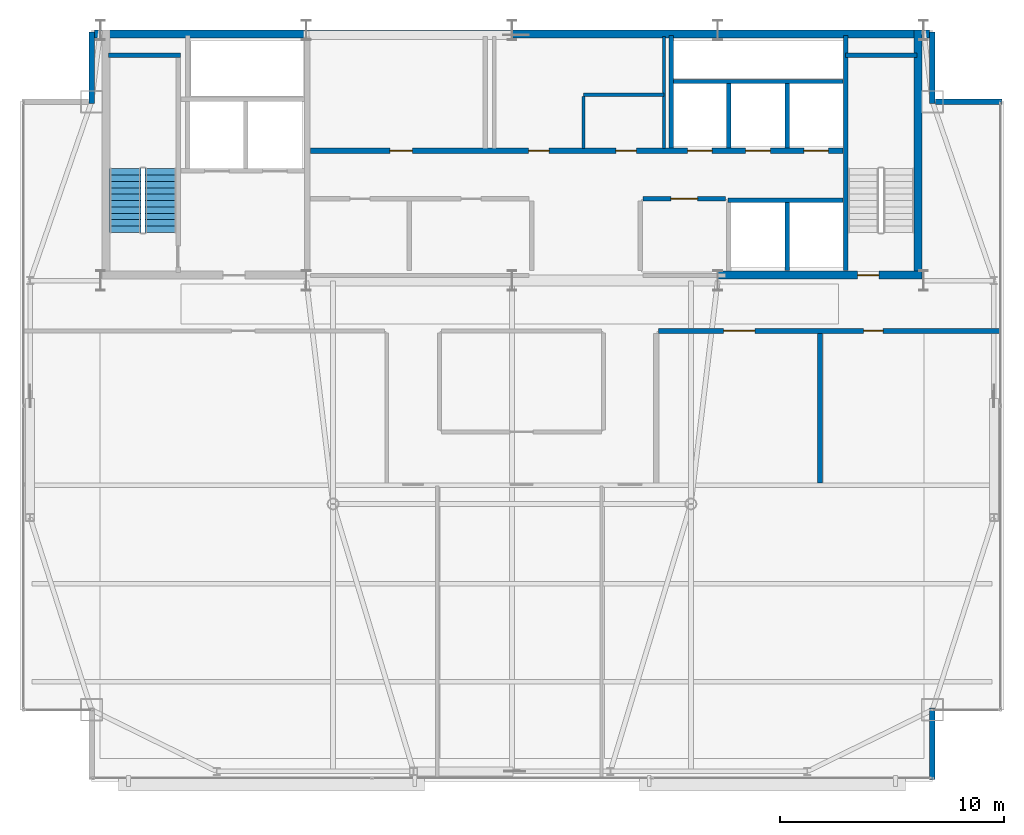
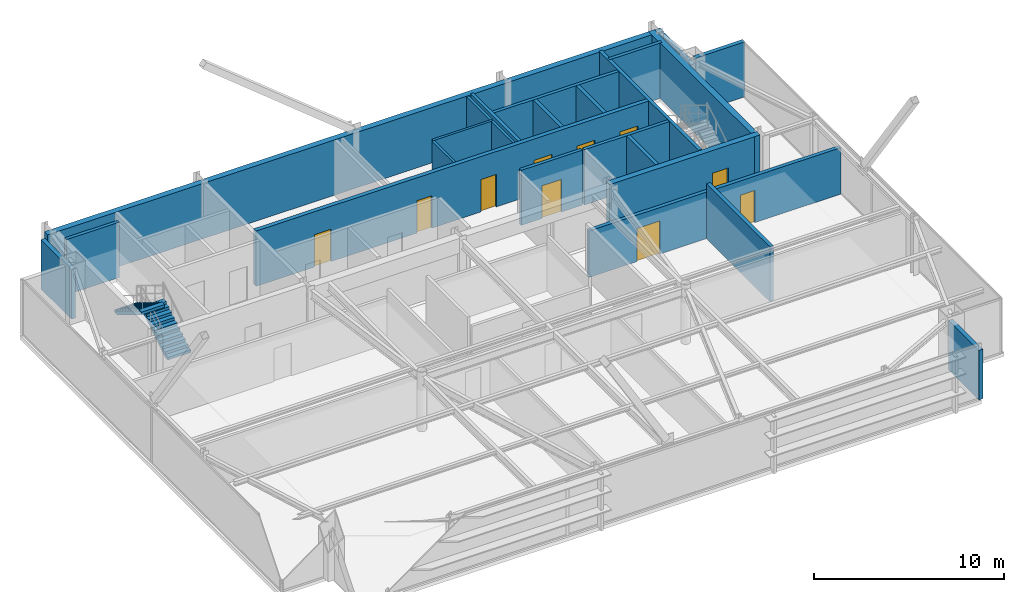
# One storey, part 22 of 24: 23 walls, 10 doors, 2 stair flights, 10 openings, 1 element without a shape of its own.
"""IFC4 building model written with IfcOpenShell, lengths in metres."""

from ifc_helpers import new_model, si_unit, direction, frame, frame_2d, origin, place, context, subcontext, project, spatial, polyline, rectangle, outline, extrude, source, transform, mapped, material, layer, layer_set, type_object, type_shapes, element, fill, aggregate, save


model = new_model("IFC4")

# Units and contexts
model_context = context("Model", 3, precision=1e-05, world=origin(), true_north=direction((0.0, 1.0)))
body_context = subcontext(model_context, "Body", "Model", "MODEL_VIEW")
ifc_project = project(units=[si_unit("LENGTHUNIT", "METRE"), si_unit("AREAUNIT", "SQUARE_METRE"), si_unit("VOLUMEUNIT", "CUBIC_METRE"), si_unit("PLANEANGLEUNIT", "RADIAN"), si_unit("MASSUNIT", "GRAM", prefix="KILO")], contexts=[model_context])

# Site, building, storey
site_placement = place(None, origin())
site = spatial("IfcSite", under=ifc_project, at=site_placement, CompositionType="ELEMENT")
building_placement = place(site_placement, origin())
building = spatial("IfcBuilding", under=site, at=building_placement, Name="Varnel Quay Broadcast Tower", CompositionType="ELEMENT")
storey_placement = place(building_placement, frame((0.0, 0.0, 277.39990234375)))
storey = spatial("IfcBuildingStorey", under=building, at=storey_placement, Name="L69", CompositionType="ELEMENT", Elevation=277.39990234375)

# Walls
ifc_material_1 = material(Name="Concrete CSA A23.3 C50/60", Category="concrete")
ifc_layer_1 = layer(ifc_material_1, 0.199951171875, Name="Concrete CSA A23.3 C50/60")
ifc_layer_set_1 = layer_set([ifc_layer_1], Name="Concrete CSA A23.3 C50/60")
wall_type_1 = type_object("IfcWallType", Name="Wall_CoreShaftShear200", PredefinedType="SHEAR", material=ifc_layer_set_1)
wall_1_placement = place(storey_placement, frame((15.949951171875, 45.679931640625, 0.0), z_axis=(0.0, 0.0, 1.0), x_axis=(1.0, 0.0, 0.0)))
element("IfcWall", 1, at=wall_1_placement, inside=storey, type_object=wall_type_1, Name="L69 Stair 1 North Structural Wall", PredefinedType="SHEAR", context=body_context, shape_type="SweptSolid", body=[
    extrude(rectangle(XDim=3.22998046875, YDim=0.199951171875, at=frame_2d((1.614990234375, 0.0))), origin(), (0.0, 0.0, 1.0), 3.550048828125),
])
wall_2_placement = place(storey_placement, frame((48.919921875, 36.050048828125, 0.0), z_axis=(0.0, 0.0, 1.0), x_axis=(0.0, 1.0, 0.0)))
element("IfcWall", 2, at=wall_2_placement, inside=storey, type_object=wall_type_1, Name="L69 Stair 2 West Structural Wall", PredefinedType="SHEAR", context=body_context, shape_type="SweptSolid", body=[
    extrude(rectangle(XDim=10.5, YDim=0.199951171875, at=frame_2d((5.25, 0.0))), origin(), (0.0, 0.0, 1.0), 3.550048828125),
])
wall_3_placement = place(storey_placement, frame((48.919921875, 45.679931640625, 0.0), z_axis=(0.0, 0.0, 1.0), x_axis=(1.0, 0.0, 0.0)))
element("IfcWall", 3, at=wall_3_placement, inside=storey, type_object=wall_type_1, Name="L69 Stair 2 North Structural Wall", PredefinedType="SHEAR", context=body_context, shape_type="SweptSolid", body=[
    extrude(rectangle(XDim=3.18017578125, YDim=0.199951171875, at=frame_2d((1.590087890625, 0.0))), origin(), (0.0, 0.0, 1.0), 3.550048828125),
])
wall_4_placement = place(storey_placement, frame((41.219970703125, 44.5, 0.0), z_axis=(0.0, 0.0, 1.0), x_axis=(1.0, 0.0, 0.0)))
element("IfcWall", 4, at=wall_4_placement, inside=storey, type_object=wall_type_1, Name="L69 High-Rise Lift Shaft Rear Wall", PredefinedType="SHEAR", context=body_context, shape_type="SweptSolid", body=[
    extrude(rectangle(XDim=7.580078125, YDim=0.199951171875, at=frame_2d((3.7900390625, 0.0))), origin(), (0.0, 0.0, 1.0), 3.550048828125),
])
wall_5_placement = place(storey_placement, frame((41.1201171875, 41.530029296875, 0.0), z_axis=(0.0, 0.0, 1.0), x_axis=(0.0, 1.0, 0.0)))
element("IfcWall", 5, at=wall_5_placement, inside=storey, type_object=wall_type_1, Name="L69 High-Rise Lift Shaft Divider 1", PredefinedType="SHEAR", context=body_context, shape_type="SweptSolid", body=[
    extrude(rectangle(XDim=5.02001953125, YDim=0.199951171875, at=frame_2d((2.510009765625, 0.0))), origin(), (0.0, 0.0, 1.0), 3.550048828125),
])
for number, where, z_axis, x_axis, name in (
    (6, (43.699951171875, 41.530029296875, 0.0), (0.0, 0.0, 1.0), (0.0, 1.0, 0.0), "L69 High-Rise Lift Shaft Divider 2"),
    (7, (46.300048828125, 41.530029296875, 0.0), (0.0, 0.0, 1.0), (0.0, 1.0, 0.0), "L69 High-Rise Lift Shaft Divider 3"),
):
    element("IfcWall", number, at=place(storey_placement, frame(where, z_axis=z_axis, x_axis=x_axis)), inside=storey, type_object=wall_type_1, Name=name, PredefinedType="SHEAR", context=body_context, shape_type="SweptSolid", body=[
        extrude(rectangle(XDim=2.869873046875, YDim=0.199951171875, at=frame_2d((1.43505859375, 0.0))), origin(), (0.0, 0.0, 1.0), 3.550048828125),
    ])
wall_6_placement = place(storey_placement, frame((46.300048828125, 36.050048828125, 0.0), z_axis=(0.0, 0.0, 1.0), x_axis=(0.0, 1.0, 0.0)))
element("IfcWall", 8, at=wall_6_placement, inside=storey, type_object=wall_type_1, Name="L69 Express Lift Shaft Divider", PredefinedType="SHEAR", context=body_context, shape_type="SweptSolid", body=[
    extrude(rectangle(XDim=3.050048828125, YDim=0.199951171875, at=frame_2d((1.52490234375, 0.0))), origin(), (0.0, 0.0, 1.0), 3.550048828125),
])
wall_7_placement = place(storey_placement, frame((43.64990234375, 39.199951171875, 0.0), z_axis=(0.0, 0.0, 1.0), x_axis=(1.0, 0.0, 0.0)))
element("IfcWall", 9, at=wall_7_placement, inside=storey, type_object=wall_type_1, Name="L69 Express Lift Shaft North Front Wall", PredefinedType="SHEAR", context=body_context, shape_type="SweptSolid", body=[
    extrude(rectangle(XDim=5.150146484375, YDim=0.199951171875, at=frame_2d((2.5751953125, 0.0))), origin(), (0.0, 0.0, 1.0), 3.550048828125),
])

# Wall, openings, doors
ifc_layer_2 = layer(ifc_material_1, 0.25, Name="Concrete CSA A23.3 C50/60")
ifc_layer_set_2 = layer_set([ifc_layer_2], Name="Concrete CSA A23.3 C50/60")
wall_type_2 = type_object("IfcWallType", Name="Wall_CoreShaftShear250", PredefinedType="SHEAR", material=ifc_layer_set_2)
wall_8_placement = place(storey_placement, frame((24.97998046875, 41.39990234375, 0.0), z_axis=(0.0, 0.0, 1.0), x_axis=(1.0, 0.0, 0.0)))
wall_8 = element("IfcWall", 10, at=wall_8_placement, inside=storey, type_object=wall_type_2, Name="L69 North Lift Bank & Reclaimed Suite Wall", PredefinedType="SHEAR", context=body_context, shape_type="SweptSolid", body=[
    extrude(rectangle(XDim=23.820068359375, YDim=0.25, at=frame_2d((11.91015625, 0.0))), origin(), (0.0, 0.0, 1.0), 3.550048828125),
])
opening_1_placement = place(wall_8_placement, frame((16.8701171875, 0.0, 0.0)))
opening_1 = element("IfcOpeningElement", 11, at=opening_1_placement, cuts=wall_8, Name="Opening LD-L69-PH-01", PredefinedType="OPENING", context=body_context, shape_type="SweptSolid", body=[
    extrude(rectangle(XDim=1.10009765625, YDim=2.179931640625, at=frame_2d((0.550048828125, 1.08984375))), frame((0.0, 0.135009765625, 0.0), z_axis=(0.0, -1.0, 0.0), x_axis=(1.0, 0.0, 0.0)), (0.0, 0.0, 1.0), 0.27001953125),
])
opening_2_placement = place(wall_8_placement, frame((19.469970703125, 0.0, 0.0)))
opening_2 = element("IfcOpeningElement", 12, at=opening_2_placement, cuts=wall_8, Name="Opening LD-L69-PH-02", PredefinedType="OPENING", context=body_context, shape_type="SweptSolid", body=[
    extrude(rectangle(XDim=1.10009765625, YDim=2.179931640625, at=frame_2d((0.550048828125, 1.08984375))), frame((0.0, 0.135009765625, 0.0), z_axis=(0.0, -1.0, 0.0), x_axis=(1.0, 0.0, 0.0)), (0.0, 0.0, 1.0), 0.27001953125),
])
opening_3_placement = place(wall_8_placement, frame((22.070068359375, 0.0, 0.0)))
opening_3 = element("IfcOpeningElement", 13, at=opening_3_placement, cuts=wall_8, Name="Opening LD-L69-PH-03", PredefinedType="OPENING", context=body_context, shape_type="SweptSolid", body=[
    extrude(rectangle(XDim=1.10009765625, YDim=2.179931640625, at=frame_2d((0.550048828125, 1.08984375))), frame((0.0, 0.135009765625, 0.0), z_axis=(0.0, -1.0, 0.0), x_axis=(1.0, 0.0, 0.0)), (0.0, 0.0, 1.0), 0.27001953125),
])
opening_4_placement = place(wall_8_placement, frame((3.56005859375, 0.0, 0.0)))
opening_4 = element("IfcOpeningElement", 14, at=opening_4_placement, cuts=wall_8, Name="Opening D-L69-RECA1", PredefinedType="OPENING", context=body_context, shape_type="SweptSolid", body=[
    extrude(rectangle(XDim=1.0, YDim=2.080078125, at=frame_2d((0.5, 1.0400390625))), frame((0.0, 0.135009765625, 0.0), z_axis=(0.0, -1.0, 0.0), x_axis=(1.0, 0.0, 0.0)), (0.0, 0.0, 1.0), 0.27001953125),
])
opening_5_placement = place(wall_8_placement, frame((9.760009765625, 0.0, 0.0)))
opening_5 = element("IfcOpeningElement", 15, at=opening_5_placement, cuts=wall_8, Name="Opening D-L69-RECB1", PredefinedType="OPENING", context=body_context, shape_type="SweptSolid", body=[
    extrude(rectangle(XDim=0.919921875, YDim=2.080078125, at=frame_2d((0.4599609375, 1.0400390625))), frame((0.0, 0.135009765625, 0.0), z_axis=(0.0, -1.0, 0.0), x_axis=(1.0, 0.0, 0.0)), (0.0, 0.0, 1.0), 0.27001953125),
])
opening_6_placement = place(wall_8_placement, frame((13.659912109375, 0.0, 0.0)))
opening_6 = element("IfcOpeningElement", 16, at=opening_6_placement, cuts=wall_8, Name="Opening D-L69-RECB2", PredefinedType="OPENING", context=body_context, shape_type="SweptSolid", body=[
    extrude(rectangle(XDim=0.919921875, YDim=2.080078125, at=frame_2d((0.4599609375, 1.0400390625))), frame((0.0, 0.135009765625, 0.0), z_axis=(0.0, -1.0, 0.0), x_axis=(1.0, 0.0, 0.0)), (0.0, 0.0, 1.0), 0.27001953125),
])
ifc_material_2 = material(Name="Brushed Bronze-Stainless Lift Car & Sliding Doors", Category="steel")
door_type_1 = type_object("IfcDoorType", Name="Door_LiftLanding1100", OperationType="SLIDING_TO_LEFT", PredefinedType="DOOR", material=ifc_material_2)
shared_shape_1 = source(origin(), body_context, "Body", "SweptSolid", [
    extrude(rectangle(XDim=1.10009765625, YDim=2.179931640625, at=frame_2d((0.550048828125, 1.08984375))), frame((0.0, 0.02490234375, 0.0), z_axis=(0.0, -1.0, 0.0), x_axis=(1.0, 0.0, 0.0)), (0.0, 0.0, 1.0), 0.050048828125),
])
type_shapes(door_type_1, [shared_shape_1])
door_1_placement = place(opening_1_placement, frame((1.10009765625, 0.0, 0.0), z_axis=(0.0, 0.0, 1.0), x_axis=(-1.0, 0.0, 0.0)))
door_1 = element("IfcDoor", 17, at=door_1_placement, inside=storey, type_object=door_type_1, Name="L69 Lift PH-01 Landing Door", OperationType="SLIDING_TO_LEFT", OverallHeight=2.179931640625, OverallWidth=1.10009765625, PredefinedType="DOOR", context=body_context, shape_type="MappedRepresentation", body=[
    mapped(shared_shape_1, transform((0.0, 0.0, 0.0), x_axis=(1.0, 0.0, 0.0), y_axis=(0.0, 1.0, 0.0), z_axis=(0.0, 0.0, 1.0), scale=1.0)),
])
fill(opening_1, door_1)
door_2_placement = place(opening_2_placement, frame((1.10009765625, 0.0, 0.0), z_axis=(0.0, 0.0, 1.0), x_axis=(-1.0, 0.0, 0.0)))
door_2 = element("IfcDoor", 18, at=door_2_placement, inside=storey, type_object=door_type_1, Name="L69 Lift PH-02 Landing Door", OperationType="SLIDING_TO_LEFT", OverallHeight=2.179931640625, OverallWidth=1.10009765625, PredefinedType="DOOR", context=body_context, shape_type="MappedRepresentation", body=[
    mapped(shared_shape_1, transform((0.0, 0.0, 0.0), x_axis=(1.0, 0.0, 0.0), y_axis=(0.0, 1.0, 0.0), z_axis=(0.0, 0.0, 1.0), scale=1.0)),
])
fill(opening_2, door_2)
door_3_placement = place(opening_3_placement, frame((1.10009765625, 0.0, 0.0), z_axis=(0.0, 0.0, 1.0), x_axis=(-1.0, 0.0, 0.0)))
door_3 = element("IfcDoor", 19, at=door_3_placement, inside=storey, type_object=door_type_1, Name="L69 Lift PH-03 Landing Door", OperationType="SLIDING_TO_LEFT", OverallHeight=2.179931640625, OverallWidth=1.10009765625, PredefinedType="DOOR", context=body_context, shape_type="MappedRepresentation", body=[
    mapped(shared_shape_1, transform((0.0, 0.0, 0.0), x_axis=(1.0, 0.0, 0.0), y_axis=(0.0, 1.0, 0.0), z_axis=(0.0, 0.0, 1.0), scale=1.0)),
])
fill(opening_3, door_3)
ifc_material_3 = material(Name="Insulated Fire-Rated Hollow Steel Door", Category="steel")
door_type_2 = type_object("IfcDoorType", Name="Door_FireLobby1000", OperationType="NOTDEFINED", PredefinedType="DOOR", material=ifc_material_3)
shared_shape_2 = source(origin(), body_context, "Body", "SweptSolid", [
    extrude(rectangle(XDim=1.0, YDim=2.080078125, at=frame_2d((0.5, 1.0400390625))), frame((0.0, 0.02490234375, 0.0), z_axis=(0.0, -1.0, 0.0), x_axis=(1.0, 0.0, 0.0)), (0.0, 0.0, 1.0), 0.050048828125),
])
type_shapes(door_type_2, [shared_shape_2])
door_4_placement = place(opening_4_placement, origin())
door_4 = element("IfcDoor", 20, at=door_4_placement, inside=storey, type_object=door_type_2, Name="L69 Broadcast Ingest Server Hall Door", OperationType="SINGLE_SWING_RIGHT", OverallHeight=2.080078125, OverallWidth=1.0, PredefinedType="DOOR", context=body_context, shape_type="MappedRepresentation", body=[
    mapped(shared_shape_2, transform((0.0, 0.0, 0.0), x_axis=(1.0, 0.0, 0.0), y_axis=(0.0, 1.0, 0.0), z_axis=(0.0, 0.0, 1.0), scale=1.0)),
])
fill(opening_4, door_4)
ifc_material_4 = material(Name="Solid-Core Fire-Rated Acoustic Oak Veneer Door", Category="wood")
door_type_3 = type_object("IfcDoorType", Name="Door_Office920", OperationType="NOTDEFINED", PredefinedType="DOOR", material=ifc_material_4)
shared_shape_3 = source(origin(), body_context, "Body", "SweptSolid", [
    extrude(rectangle(XDim=0.919921875, YDim=2.080078125, at=frame_2d((0.4599609375, 1.0400390625))), frame((0.0, 0.02490234375, 0.0), z_axis=(0.0, -1.0, 0.0), x_axis=(1.0, 0.0, 0.0)), (0.0, 0.0, 1.0), 0.050048828125),
])
type_shapes(door_type_3, [shared_shape_3])
door_5_placement = place(opening_5_placement, origin())
door_5 = element("IfcDoor", 21, at=door_5_placement, inside=storey, type_object=door_type_3, Name="L69 Acoustic Rack & Patch Suite Door", OperationType="SINGLE_SWING_LEFT", OverallHeight=2.080078125, OverallWidth=0.919921875, PredefinedType="DOOR", context=body_context, shape_type="MappedRepresentation", body=[
    mapped(shared_shape_3, transform((0.0, 0.0, 0.0), x_axis=(1.0, 0.0, 0.0), y_axis=(0.0, 1.0, 0.0), z_axis=(0.0, 0.0, 1.0), scale=1.0)),
])
fill(opening_5, door_5)
door_6_placement = place(opening_6_placement, origin())
door_6 = element("IfcDoor", 22, at=door_6_placement, inside=storey, type_object=door_type_3, Name="L69 Production Tea Pantry Door", OperationType="SINGLE_SWING_RIGHT", OverallHeight=2.080078125, OverallWidth=0.919921875, PredefinedType="DOOR", context=body_context, shape_type="MappedRepresentation", body=[
    mapped(shared_shape_3, transform((0.0, 0.0, 0.0), x_axis=(1.0, 0.0, 0.0), y_axis=(0.0, 1.0, 0.0), z_axis=(0.0, 0.0, 1.0), scale=1.0)),
])
fill(opening_6, door_6)

# Walls
ifc_layer_3 = layer(ifc_material_1, 0.35009765625, Name="Concrete CSA A23.3 C50/60")
ifc_layer_set_3 = layer_set([ifc_layer_3], Name="Concrete CSA A23.3 C50/60")
wall_type_3 = type_object("IfcWallType", Name="Wall_CoreShearExt350", PredefinedType="SHEAR", material=ifc_layer_set_3)
wall_9_placement = place(storey_placement, frame((15.324951171875, 46.625, 0.0), z_axis=(0.0, 0.0, 1.0), x_axis=(1.0, 0.0, 0.0)))
element("IfcWall", 23, at=wall_9_placement, inside=storey, type_object=wall_type_3, Name="L69 North Core Shear Wall", PredefinedType="SHEAR", context=body_context, shape_type="SweptSolid", body=[
    extrude(rectangle(XDim=37.35009765625, YDim=0.35009765625, at=frame_2d((18.675048828125, 0.0))), origin(), (0.0, 0.0, 1.0), 3.550048828125),
])
ifc_layer_4 = layer(ifc_material_1, 0.35009765625, Name="Concrete CSA A23.3 C50/60")
ifc_layer_set_4 = layer_set([ifc_layer_4], Name="Concrete CSA A23.3 C50/60")
wall_type_4 = type_object("IfcWallType", Name="Wall_CoreShearInt350", PredefinedType="SHEAR", material=ifc_layer_set_4)
wall_10_placement = place(storey_placement, frame((52.155029296875, 35.669921875, 0.0), z_axis=(0.0, 0.0, 1.0), x_axis=(0.0, 1.0, 0.0)))
element("IfcWall", 24, at=wall_10_placement, inside=storey, type_object=wall_type_4, Name="L69 East Core Shear Wall", PredefinedType="SHEAR", context=body_context, shape_type="SweptSolid", body=[
    extrude(rectangle(XDim=11.130126953125, YDim=0.35009765625, at=frame_2d((5.56494140625, 0.0))), origin(), (0.0, 0.0, 1.0), 3.550048828125),
])

# Wall, opening, door
wall_11_placement = place(storey_placement, frame((43.199951171875, 35.844970703125, 0.0), z_axis=(0.0, 0.0, 1.0), x_axis=(1.0, 0.0, 0.0)))
wall_11 = element("IfcWall", 25, at=wall_11_placement, inside=storey, type_object=wall_type_4, Name="L69 South-East Core Shear Wall", PredefinedType="SHEAR", context=body_context, shape_type="SweptSolid", body=[
    extrude(rectangle(XDim=9.130126953125, YDim=0.35009765625, at=frame_2d((4.56494140625, 0.0))), origin(), (0.0, 0.0, 1.0), 3.550048828125),
])
opening_7_placement = place(wall_11_placement, frame((6.25, 0.0, 0.0)))
opening_7 = element("IfcOpeningElement", 26, at=opening_7_placement, cuts=wall_11, Name="Opening D-L69-S2", PredefinedType="OPENING", context=body_context, shape_type="SweptSolid", body=[
    extrude(rectangle(XDim=0.949951171875, YDim=2.10009765625, at=frame_2d((0.47509765625, 1.050048828125))), frame((0.0, 0.18505859375, 0.0), z_axis=(0.0, -1.0, 0.0), x_axis=(1.0, 0.0, 0.0)), (0.0, 0.0, 1.0), 0.3701171875),
])
door_type_4 = type_object("IfcDoorType", Name="Door_FireStair950", OperationType="NOTDEFINED", PredefinedType="DOOR", material=ifc_material_3)
shared_shape_4 = source(origin(), body_context, "Body", "SweptSolid", [
    extrude(rectangle(XDim=0.949951171875, YDim=2.10009765625, at=frame_2d((0.47509765625, 1.050048828125))), frame((0.0, 0.02490234375, 0.0), z_axis=(0.0, -1.0, 0.0), x_axis=(1.0, 0.0, 0.0)), (0.0, 0.0, 1.0), 0.050048828125),
])
type_shapes(door_type_4, [shared_shape_4])
door_7_placement = place(opening_7_placement, origin())
door_7 = element("IfcDoor", 27, at=door_7_placement, inside=storey, type_object=door_type_4, Name="L69 Stair 2 Fire Door", OperationType="SINGLE_SWING_LEFT", OverallHeight=2.10009765625, OverallWidth=0.949951171875, PredefinedType="DOOR", context=body_context, shape_type="MappedRepresentation", body=[
    mapped(shared_shape_4, transform((0.0, 0.0, 0.0), x_axis=(1.0, 0.0, 0.0), y_axis=(0.0, 1.0, 0.0), z_axis=(0.0, 0.0, 1.0), scale=1.0)),
])
fill(opening_7, door_7)

# Walls
ifc_material_5 = material(Name="Precast Architectural Concrete C40/50", Category="concrete")
ifc_layer_5 = layer(ifc_material_5, 0.25, Name="Precast Architectural Concrete C40/50")
ifc_layer_set_5 = layer_set([ifc_layer_5], Name="Precast Architectural Concrete C40/50")
wall_type_5 = type_object("IfcWallType", Name="Wall_ExtTerrace250", PredefinedType="SOLIDWALL", material=ifc_layer_set_5)
for number, where, z_axis, x_axis, name in (
    (28, (52.800048828125, 13.280029296875, 0.0), (0.0, 0.0, 1.0), (0.0, 1.0, 0.0), "L69 Mega-Column Notch Cladding Wall NSE2"),
    (29, (15.199951171875, 43.52001953125, 0.0), (0.0, 0.0, 1.0), (0.0, 1.0, 0.0), "L69 Mega-Column Notch Cladding Wall NNW2"),
):
    element("IfcWall", number, at=place(storey_placement, frame(where, z_axis=z_axis, x_axis=x_axis)), inside=storey, type_object=wall_type_5, Name=name, PredefinedType="SOLIDWALL", context=body_context, shape_type="SweptSolid", body=[
        extrude(rectangle(XDim=3.199951171875, YDim=0.25, at=frame_2d((1.60009765625, 0.0))), origin(), (0.0, 0.0, 1.0), 3.171142578125),
    ])
wall_12_placement = place(storey_placement, frame((52.929931640625, 43.60009765625, 0.0), z_axis=(0.0, 0.0, 1.0), x_axis=(1.0, 0.0, 0.0)))
element("IfcWall", 30, at=wall_12_placement, inside=storey, type_object=wall_type_5, Name="L69 Mega-Column Notch Cladding Wall NNE1", PredefinedType="SOLIDWALL", context=body_context, shape_type="SweptSolid", body=[
    extrude(rectangle(XDim=2.989990234375, YDim=0.25, at=frame_2d((1.4951171875, 0.0))), origin(), (0.0, 0.0, 1.0), 3.530029296875),
])
wall_13_placement = place(storey_placement, frame((52.800048828125, 43.52001953125, 0.0), z_axis=(0.0, 0.0, 1.0), x_axis=(0.0, 1.0, 0.0)))
element("IfcWall", 31, at=wall_13_placement, inside=storey, type_object=wall_type_5, Name="L69 Mega-Column Notch Cladding Wall NNE2", PredefinedType="SOLIDWALL", context=body_context, shape_type="SweptSolid", body=[
    extrude(rectangle(XDim=3.199951171875, YDim=0.25, at=frame_2d((1.60009765625, 0.0))), origin(), (0.0, 0.0, 1.0), 3.171142578125),
])

# Wall, opening, door
ifc_material_6 = material(Name="Concrete Blockwork Fire Enclosure C40/50", Category="masonry")
ifc_layer_6 = layer(ifc_material_6, 0.199951171875, Name="Concrete Blockwork Fire Enclosure C40/50")
ifc_layer_set_6 = layer_set([ifc_layer_6], Name="Concrete Blockwork Fire Enclosure C40/50")
wall_type_6 = type_object("IfcWallType", Name="Wall_FireShaft200", PredefinedType="SOLIDWALL", material=ifc_layer_set_6)
wall_14_placement = place(storey_placement, frame((39.85009765625, 39.25, 0.0), z_axis=(0.0, 0.0, 1.0), x_axis=(1.0, 0.0, 0.0)))
wall_14 = element("IfcWall", 32, at=wall_14_placement, inside=storey, type_object=wall_type_6, Name="L69 Electrical Sub-Distribution Closet Partition 6", PredefinedType="SOLIDWALL", context=body_context, shape_type="SweptSolid", body=[
    extrude(rectangle(XDim=3.699951171875, YDim=0.199951171875, at=frame_2d((1.85009765625, 0.0))), origin(), (0.0, 0.0, 1.0), 3.530029296875),
])
opening_8_placement = place(wall_14_placement, frame((1.25, 0.0, 0.0)))
opening_8 = element("IfcOpeningElement", 33, at=opening_8_placement, cuts=wall_14, Name="Opening D-L69-03", PredefinedType="OPENING", context=body_context, shape_type="SweptSolid", body=[
    extrude(rectangle(XDim=1.199951171875, YDim=2.10009765625, at=frame_2d((0.60009765625, 1.050048828125))), frame((0.0, 0.10986328125, 0.0), z_axis=(0.0, -1.0, 0.0), x_axis=(1.0, 0.0, 0.0)), (0.0, 0.0, 1.0), 0.219970703125),
])
door_type_5 = type_object("IfcDoorType", Name="Door_Plant1200", OperationType="NOTDEFINED", PredefinedType="DOOR", material=ifc_material_3)
shared_shape_5 = source(origin(), body_context, "Body", "SweptSolid", [
    extrude(rectangle(XDim=1.199951171875, YDim=2.10009765625, at=frame_2d((0.60009765625, 1.050048828125))), frame((0.0, 0.02490234375, 0.0), z_axis=(0.0, -1.0, 0.0), x_axis=(1.0, 0.0, 0.0)), (0.0, 0.0, 1.0), 0.050048828125),
])
type_shapes(door_type_5, [shared_shape_5])
door_8_placement = place(opening_8_placement, origin())
door_8 = element("IfcDoor", 34, at=door_8_placement, inside=storey, type_object=door_type_5, Name="L69 Electrical Sub-Distribution Closet Door D-L69-03", OperationType="SINGLE_SWING_LEFT", OverallHeight=2.10009765625, OverallWidth=1.199951171875, PredefinedType="DOOR", context=body_context, shape_type="MappedRepresentation", body=[
    mapped(shared_shape_5, transform((0.0, 0.0, 0.0), x_axis=(1.0, 0.0, 0.0), y_axis=(0.0, 1.0, 0.0), z_axis=(0.0, 0.0, 1.0), scale=1.0)),
])
fill(opening_8, door_8)

# Walls
ifc_material_7 = material(Name="Steel-Stud Fire-Rated Acoustic Gypsum Partition Assembly", Category="steel")
ifc_layer_7 = layer(ifc_material_7, 0.14990234375, Name="Steel-Stud Fire-Rated Acoustic Gypsum Partition Assembly")
ifc_layer_set_7 = layer_set([ifc_layer_7], Name="Steel-Stud Fire-Rated Acoustic Gypsum Partition Assembly")
wall_type_7 = type_object("IfcWallType", Name="Wall_Partition150", PredefinedType="PARTITIONING", material=ifc_layer_set_7)
wall_15_placement = place(storey_placement, frame((37.199951171875, 41.5, 0.0), z_axis=(0.0, 0.0, 1.0), x_axis=(0.0, 1.0, 0.0)))
element("IfcWall", 35, at=wall_15_placement, inside=storey, type_object=wall_type_7, Name="L69 Acoustic Rack & Patch Suite Partition 21", PredefinedType="PARTITIONING", context=body_context, shape_type="SweptSolid", body=[
    extrude(rectangle(XDim=2.324951171875, YDim=0.14990234375, at=frame_2d((1.16259765625, 0.0))), origin(), (0.0, 0.0, 1.0), 3.530029296875),
])
wall_16_placement = place(storey_placement, frame((37.199951171875, 43.89990234375, 0.0), z_axis=(0.0, 0.0, 1.0), x_axis=(1.0, 0.0, 0.0)))
element("IfcWall", 36, at=wall_16_placement, inside=storey, type_object=wall_type_7, Name="L69 Acoustic Rack & Patch Suite Partition 22", PredefinedType="PARTITIONING", context=body_context, shape_type="SweptSolid", body=[
    extrude(rectangle(XDim=3.60009765625, YDim=0.14990234375, at=frame_2d((1.800048828125, 0.0))), origin(), (0.0, 0.0, 1.0), 3.530029296875),
])
wall_17_placement = place(storey_placement, frame((40.800048828125, 41.5, 0.0), z_axis=(0.0, 0.0, 1.0), x_axis=(0.0, 1.0, 0.0)))
element("IfcWall", 37, at=wall_17_placement, inside=storey, type_object=wall_type_7, Name="L69 Acoustic Rack & Patch Suite Partition 23", PredefinedType="PARTITIONING", context=body_context, shape_type="SweptSolid", body=[
    extrude(rectangle(XDim=5.02001953125, YDim=0.14990234375, at=frame_2d((2.510009765625, 0.0))), origin(), (0.0, 0.0, 1.0), 3.530029296875),
])
ifc_layer_8 = layer(ifc_material_7, 0.22509765625, Name="Steel-Stud Fire-Rated Acoustic Gypsum Partition Assembly")
ifc_layer_set_8 = layer_set([ifc_layer_8], Name="Steel-Stud Fire-Rated Acoustic Gypsum Partition Assembly")
wall_type_8 = type_object("IfcWallType", Name="Wall_Partition225", PredefinedType="PARTITIONING", material=ifc_layer_set_8)
wall_18_placement = place(storey_placement, frame((47.77001953125, 26.554931640625, 0.0), z_axis=(0.0, 0.0, 1.0), x_axis=(0.0, 1.0, 0.0)))
element("IfcWall", 38, at=wall_18_placement, inside=storey, type_object=wall_type_8, Name="L69 Journalism Training Studio 6 Partition 17", PredefinedType="PARTITIONING", context=body_context, shape_type="SweptSolid", body=[
    extrude(rectangle(XDim=6.68310546875, YDim=0.22509765625, at=frame_2d((3.341552734375, 0.0))), origin(), (0.0, 0.0, 1.0), 3.530029296875),
])

# Wall, openings, doors
wall_19_placement = place(storey_placement, frame((40.550048828125, 33.35009765625, 0.0), z_axis=(0.0, 0.0, 1.0), x_axis=(1.0, 0.0, 0.0)))
wall_19 = element("IfcWall", 39, at=wall_19_placement, inside=storey, type_object=wall_type_8, Name="L69 Journalism Training Studio 6 Partition 18", PredefinedType="PARTITIONING", context=body_context, shape_type="SweptSolid", body=[
    extrude(rectangle(XDim=15.27001953125, YDim=0.22509765625, at=frame_2d((7.635009765625, 0.0))), origin(), (0.0, 0.0, 1.0), 2.981201171875),
])
opening_9_placement = place(wall_19_placement, frame((2.909912109375, 0.0, 0.0)))
opening_9 = element("IfcOpeningElement", 40, at=opening_9_placement, cuts=wall_19, Name="Opening D-L69-09", PredefinedType="OPENING", context=body_context, shape_type="SweptSolid", body=[
    extrude(rectangle(XDim=1.39990234375, YDim=2.1201171875, at=frame_2d((0.699951171875, 1.06005859375))), frame((0.0, 0.12255859375, 0.0), z_axis=(0.0, -1.0, 0.0), x_axis=(1.0, 0.0, 0.0)), (0.0, 0.0, 1.0), 0.2451171875),
])
opening_10_placement = place(wall_19_placement, frame((9.169921875, 0.0, 0.0)))
opening_10 = element("IfcOpeningElement", 41, at=opening_10_placement, cuts=wall_19, Name="Opening D-L69-10", PredefinedType="OPENING", context=body_context, shape_type="SweptSolid", body=[
    extrude(rectangle(XDim=0.8798828125, YDim=2.06005859375, at=frame_2d((0.43994140625, 1.030029296875))), frame((0.0, 0.12255859375, 0.0), z_axis=(0.0, -1.0, 0.0), x_axis=(1.0, 0.0, 0.0)), (0.0, 0.0, 1.0), 0.2451171875),
])
door_type_6 = type_object("IfcDoorType", Name="Door_Booth880", OperationType="NOTDEFINED", PredefinedType="DOOR", material=ifc_material_4)
shared_shape_6 = source(origin(), body_context, "Body", "SweptSolid", [
    extrude(rectangle(XDim=0.8798828125, YDim=2.06005859375, at=frame_2d((0.43994140625, 1.030029296875))), frame((0.0, 0.02490234375, 0.0), z_axis=(0.0, -1.0, 0.0), x_axis=(1.0, 0.0, 0.0)), (0.0, 0.0, 1.0), 0.050048828125),
])
type_shapes(door_type_6, [shared_shape_6])
door_9_placement = place(opening_10_placement, frame((0.8798828125, 0.0, 0.0), z_axis=(0.0, 0.0, 1.0), x_axis=(-1.0, 0.0, 0.0)))
door_9 = element("IfcDoor", 42, at=door_9_placement, inside=storey, type_object=door_type_6, Name="L69 Catering Kitchen 7 Door D-L69-10", OperationType="SINGLE_SWING_LEFT", OverallHeight=2.06005859375, OverallWidth=0.8798828125, PredefinedType="DOOR", context=body_context, shape_type="MappedRepresentation", body=[
    mapped(shared_shape_6, transform((0.0, 0.0, 0.0), x_axis=(1.0, 0.0, 0.0), y_axis=(0.0, 1.0, 0.0), z_axis=(0.0, 0.0, 1.0), scale=1.0)),
])
fill(opening_10, door_9)
door_type_7 = type_object("IfcDoorType", Name="Door_Gallery1400", OperationType="DOUBLE_DOOR_SINGLE_SWING", PredefinedType="DOOR", material=ifc_material_4)
shared_shape_7 = source(origin(), body_context, "Body", "SweptSolid", [
    extrude(rectangle(XDim=1.39990234375, YDim=2.1201171875, at=frame_2d((0.699951171875, 1.06005859375))), frame((0.0, 0.02490234375, 0.0), z_axis=(0.0, -1.0, 0.0), x_axis=(1.0, 0.0, 0.0)), (0.0, 0.0, 1.0), 0.050048828125),
])
type_shapes(door_type_7, [shared_shape_7])
door_10_placement = place(opening_9_placement, frame((1.39990234375, 0.0, 0.0), z_axis=(0.0, 0.0, 1.0), x_axis=(-1.0, 0.0, 0.0)))
door_10 = element("IfcDoor", 43, at=door_10_placement, inside=storey, type_object=door_type_7, Name="L69 Journalism Training Studio 6 Door D-L69-09", OperationType="DOUBLE_DOOR_SINGLE_SWING", OverallHeight=2.1201171875, OverallWidth=1.39990234375, PredefinedType="DOOR", context=body_context, shape_type="MappedRepresentation", body=[
    mapped(shared_shape_7, transform((0.0, 0.0, 0.0), x_axis=(1.0, 0.0, 0.0), y_axis=(0.0, 1.0, 0.0), z_axis=(0.0, 0.0, 1.0), scale=1.0)),
])
fill(opening_9, door_10)

# Stair, stair flights
ifc_material_8 = material(Name="Precast Structural Concrete C40/50", Category="concrete")
stair_type = type_object("IfcStairType", Name="Stair_ST-01", PredefinedType="HALF_TURN_STAIR", material=ifc_material_8)
stair_placement = place(storey_placement, origin())
stair = element("IfcStair", 44, at=stair_placement, inside=storey, type_object=stair_type, Name="L69 West Core Exit Stair 1", PredefinedType="HALF_TURN_STAIR")
stair_flight_type = type_object("IfcStairFlightType", Name="Flight_ST-01", PredefinedType="STRAIGHT", material=ifc_material_8)
stair_flight_1_placement = place(storey_placement, frame((18.300048828125, 37.75, 0.0), z_axis=(0.0, 0.0, 1.0), x_axis=(0.0, 1.0, 0.0)))
stair_flight_1 = element("IfcStairFlight", 45, at=stair_flight_1_placement, type_object=stair_flight_type, Name="ST-01 flight 1", NumberOfRisers=11, NumberOfTreads=10, PredefinedType="STRAIGHT", RiserHeight=0.172727273, TreadLength=0.285, context=body_context, shape_type="SweptSolid", body=[
    extrude(outline(polyline([(0.0, 0.0), (0.0, 0.172607421875), (0.284912109375, 0.172607421875), (0.284912109375, 0.345458984375), (0.570068359375, 0.345458984375), (0.570068359375, 0.51806640625), (0.85498046875, 0.51806640625), (0.85498046875, 0.69091796875), (1.139892578125, 0.69091796875), (1.139892578125, 0.863525390625), (1.425048828125, 0.863525390625), (1.425048828125, 1.036376953125), (1.7099609375, 1.036376953125), (1.7099609375, 1.208984375), (1.9951171875, 1.208984375), (1.9951171875, 1.3818359375), (2.280029296875, 1.3818359375), (2.280029296875, 1.554443359375), (2.56494140625, 1.554443359375), (2.56494140625, 1.727294921875), (2.85009765625, 1.727294921875), (2.85009765625, 1.89990234375), (2.85009765625, 1.552001953125), (0.289306640625, 0.0), (0.0, 0.0)])), frame((0.0, 0.699951171875, 0.0), z_axis=(0.0, -1.0, 0.0), x_axis=(1.0, 0.0, 0.0)), (0.0, 0.0, 1.0), 1.39990234375),
])
stair_flight_2_placement = place(storey_placement, frame((16.699951171875, 40.60009765625, 1.900146484375), z_axis=(0.0, 0.0, 1.0), x_axis=(0.0, -1.0, 0.0)))
stair_flight_2 = element("IfcStairFlight", 46, at=stair_flight_2_placement, type_object=stair_flight_type, Name="ST-01 flight 2", NumberOfRisers=11, NumberOfTreads=10, PredefinedType="STRAIGHT", RiserHeight=0.172727273, TreadLength=0.285, context=body_context, shape_type="SweptSolid", body=[
    extrude(outline(polyline([(0.0, 0.0), (0.0, 0.172607421875), (0.284912109375, 0.172607421875), (0.284912109375, 0.345458984375), (0.570068359375, 0.345458984375), (0.570068359375, 0.51806640625), (0.85498046875, 0.51806640625), (0.85498046875, 0.69091796875), (1.139892578125, 0.69091796875), (1.139892578125, 0.863525390625), (1.425048828125, 0.863525390625), (1.425048828125, 1.036376953125), (1.7099609375, 1.036376953125), (1.7099609375, 1.208984375), (1.9951171875, 1.208984375), (1.9951171875, 1.3818359375), (2.280029296875, 1.3818359375), (2.280029296875, 1.554443359375), (2.56494140625, 1.554443359375), (2.56494140625, 1.727294921875), (2.85009765625, 1.727294921875), (2.85009765625, 1.89990234375), (2.85009765625, 1.552001953125), (0.289306640625, 0.0), (0.0, 0.0)])), frame((0.0, 0.699951171875, 0.0), z_axis=(0.0, -1.0, 0.0), x_axis=(1.0, 0.0, 0.0)), (0.0, 0.0, 1.0), 1.39990234375),
])
aggregate(stair, [stair_flight_1, stair_flight_2])

save(model, "model.ifc")
